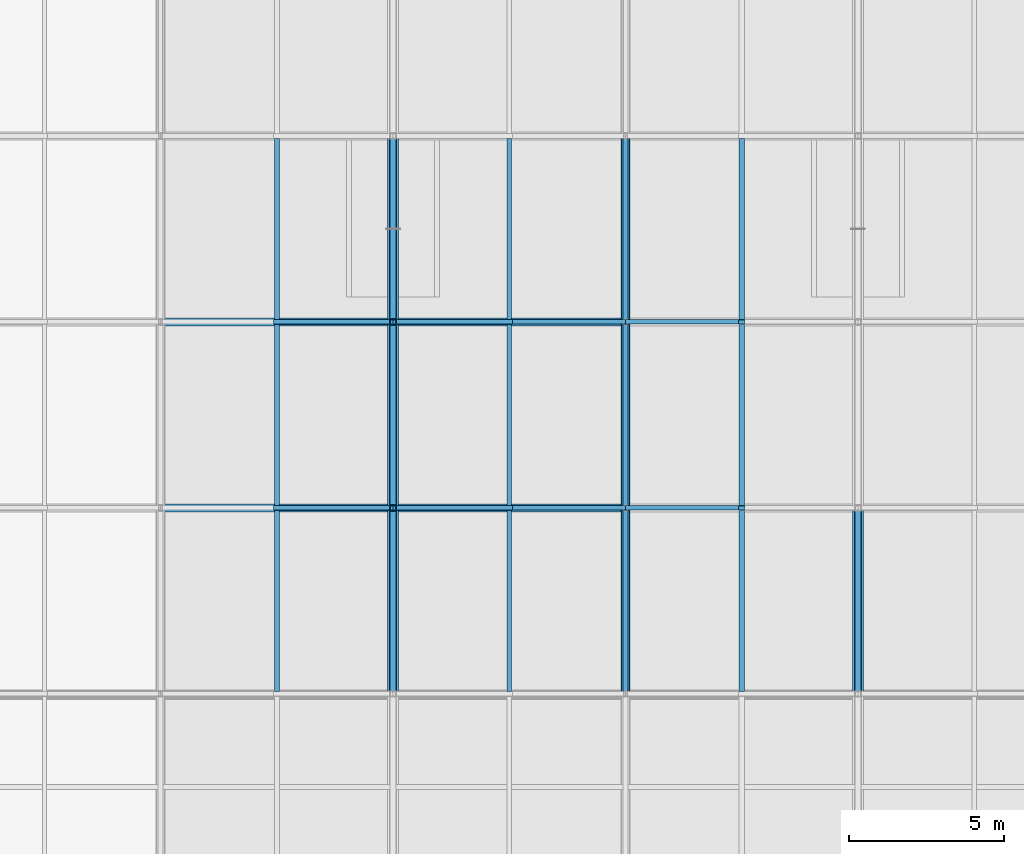
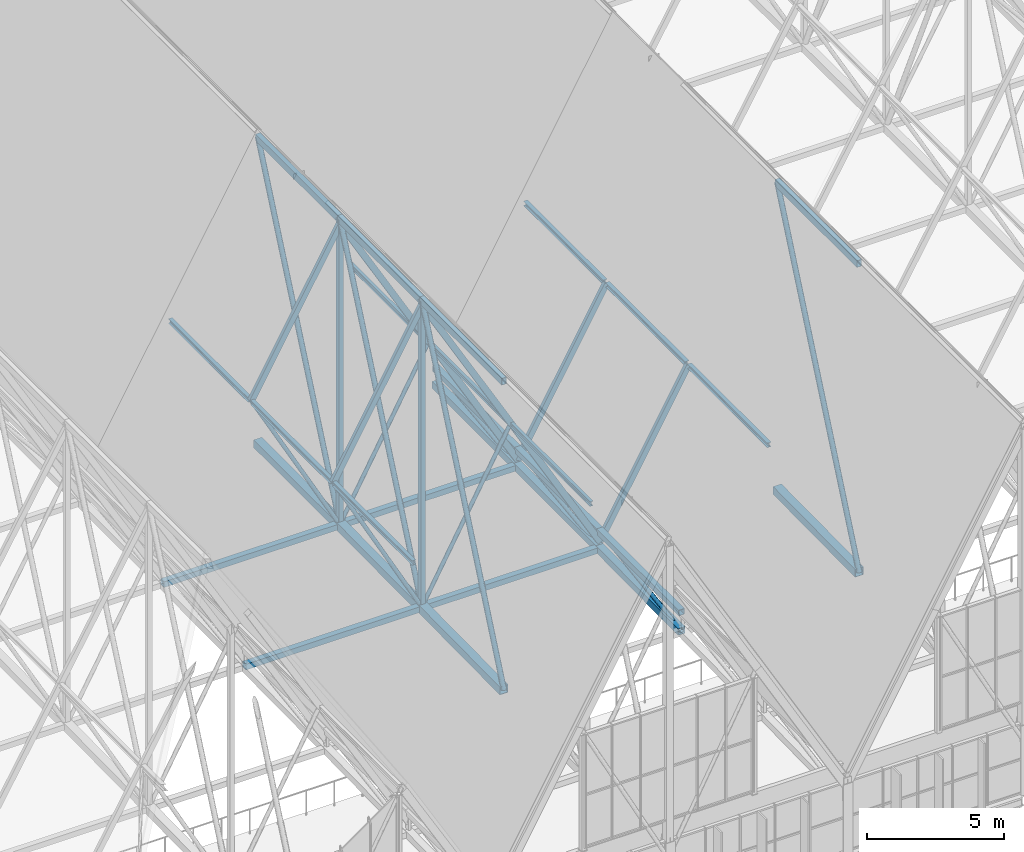
# One storey, part 133 of 324: 37 members, 9 beams.
"""IFC4 building model written with IfcOpenShell, lengths in metres."""

import ifcopenshell
import ifcopenshell.guid

model = None  # the IFC model being written
_history = None  # IfcOwnerHistory: only IFC2X3 demands one
_inside = {}  # id of a spatial element -> (the spatial element, [elements in it])
_under = {}  # id of a project, library or spatial element -> (it, [spatial elements below it])
_declared = {}  # id of a project -> (the project, [libraries it declares])
_typed = {}  # id of a type object -> (the type object, [elements of that type])
_made_of = {}  # id of a material, layer set ... -> (it, [elements and type objects made of it])


def new_model(schema):
    """Start an empty IFC model of exactly this schema.

    Asked for "IFC4X3", IfcOpenShell would pick the latest addendum, in which some entities
    have other attributes; the version numbers below select the first issue.
    IFC2X3 requires an IfcOwnerHistory on every rooted entity: one is made here for all.
    """
    global model, _history
    if schema == "IFC4X3":
        model = ifcopenshell.file(schema_version=(4, 3, 0, 0))
    else:
        model = ifcopenshell.file(schema=schema)
    _inside.clear()
    _under.clear()
    _declared.clear()
    _typed.clear()
    _made_of.clear()
    _history = None
    if model.schema == "IFC2X3":
        org = make("IfcOrganization", Name="unknown")
        user = make(
            "IfcPersonAndOrganization",
            ThePerson=make("IfcPerson", FamilyName="unknown"),
            TheOrganization=org,
        )
        app = make(
            "IfcApplication",
            ApplicationDeveloper=org,
            Version="unknown",
            ApplicationFullName="unknown",
            ApplicationIdentifier="unknown",
        )
        _history = make(
            "IfcOwnerHistory",
            OwningUser=user,
            OwningApplication=app,
            ChangeAction="ADDED",
            CreationDate=0,
        )
    return model


def make(cls, **values):
    """One entity of the class cls with the attributes given. An attribute that is None is left unset."""
    return model.create_entity(
        cls, **{name: value for name, value in values.items() if value is not None}
    )


def rooted(cls, **values):
    """An entity with a GlobalId (a new one), such as an element, a storey or a relation."""
    return make(cls, GlobalId=ifcopenshell.guid.new(), OwnerHistory=_history, **values)


def si_unit(unit_type, name, prefix=None):
    """IfcSIUnit, for example si_unit("LENGTHUNIT", "METRE", prefix="MILLI")."""
    return make("IfcSIUnit", UnitType=unit_type, Prefix=prefix, Name=name)


def assignment(units):
    """IfcUnitAssignment: the units of a project."""
    return None if units is None else make("IfcUnitAssignment", Units=units)


def point(xyz):
    """IfcCartesianPoint."""
    return None if xyz is None else make("IfcCartesianPoint", Coordinates=xyz)


def direction(xyz):
    """IfcDirection."""
    return None if xyz is None else make("IfcDirection", DirectionRatios=xyz)


def frame(location, z_axis=None, x_axis=None):
    """IfcAxis2Placement3D, a coordinate frame: its origin and axes. An axis left out is left unset."""
    return make(
        "IfcAxis2Placement3D",
        Location=point(location),
        Axis=direction(z_axis),
        RefDirection=direction(x_axis),
    )


def frame_2d(location, x_axis=None):
    """IfcAxis2Placement2D, a coordinate frame in the plane: its origin and x axis."""
    return make(
        "IfcAxis2Placement2D", Location=point(location), RefDirection=direction(x_axis)
    )


def origin():
    """The frame at (0, 0, 0) with its axes left unset."""
    return frame((0.0, 0.0, 0.0))


def origin_2d():
    """The frame at (0, 0) in the plane with its x axis left unset."""
    return frame_2d((0.0, 0.0))


def place(relative_to, where):
    """IfcLocalPlacement: puts the frame where relative to a parent placement (None: the world)."""
    return make(
        "IfcLocalPlacement", PlacementRelTo=relative_to, RelativePlacement=where
    )


def context(
    kind, dimensions, precision=None, world=None, true_north=None, identifier=None
):
    """IfcGeometricRepresentationContext, for example the 3D "Model" context."""
    return make(
        "IfcGeometricRepresentationContext",
        ContextIdentifier=identifier,
        ContextType=kind,
        CoordinateSpaceDimension=dimensions,
        Precision=precision,
        WorldCoordinateSystem=world,
        TrueNorth=true_north,
    )


def subcontext(parent, identifier, kind, view, scale=None):
    """IfcGeometricRepresentationSubContext, for example "Body" below "Model"."""
    return make(
        "IfcGeometricRepresentationSubContext",
        ContextIdentifier=identifier,
        ContextType=kind,
        ParentContext=parent,
        TargetScale=scale,
        TargetView=view,
    )


def project(units=None, contexts=None):
    """IfcProject with its units and contexts."""
    return rooted(
        "IfcProject",
        Name="project",
        RepresentationContexts=contexts,
        UnitsInContext=assignment(units),
    )


def spatial(cls, under=None, at=None, **own):
    """A site, building, storey or space (cls), placed at a placement, below another one or the project."""
    s = rooted(cls, ObjectPlacement=at, **own)
    if under is not None:
        _under.setdefault(under.id(), (under, []))[1].append(s)
    return s


def profile(cls, at=None, kind="AREA", **sizes):
    """A parametric profile (cls). Its sizes go by their IFC names, for example OverallWidth=200.0."""
    return make(cls, ProfileType=kind, Position=at, **sizes)


def hollow_rectangle(**sizes):
    """IfcRectangleHollowProfileDef."""
    return profile("IfcRectangleHollowProfileDef", **sizes)


def hollow_circle(**sizes):
    """IfcCircleHollowProfileDef."""
    return profile("IfcCircleHollowProfileDef", **sizes)


def i_section(**sizes):
    """IfcIShapeProfileDef."""
    return profile("IfcIShapeProfileDef", **sizes)


def extrude(swept, where, along, depth):
    """IfcExtrudedAreaSolid: the profile swept, set in the frame where, extruded along a direction by depth."""
    return make(
        "IfcExtrudedAreaSolid",
        SweptArea=swept,
        Position=where,
        ExtrudedDirection=direction(along),
        Depth=depth,
    )


def shape(context_of_items, identifier, shape_type, items):
    """IfcShapeRepresentation: the items that make up one representation, for example the "Body"."""
    return make(
        "IfcShapeRepresentation",
        ContextOfItems=context_of_items,
        RepresentationIdentifier=identifier,
        RepresentationType=shape_type,
        Items=items,
    )


def material(Name=None, Category=None):
    """IfcMaterial."""
    return make("IfcMaterial", Name=Name, Category=Category)


def material_profile(
    of_material, cross_section, Name=None, Category=None, Priority=None
):
    """IfcMaterialProfile: a cross section and its material."""
    return make(
        "IfcMaterialProfile",
        Name=Name,
        Material=of_material,
        Profile=cross_section,
        Priority=Priority,
        Category=Category,
    )


def profile_set(profiles, Name=None, composite=None):
    """IfcMaterialProfileSet."""
    return make(
        "IfcMaterialProfileSet",
        Name=Name,
        MaterialProfiles=profiles,
        CompositeProfile=composite,
    )


def made_of(thing, what):
    """Note that an element or type object is made of a material, layer set ...; save() writes the relation."""
    if what is not None:
        _made_of.setdefault(what.id(), (what, []))[1].append(thing)
    return thing


def type_object(cls, material=None, **own):
    """A type object (cls), such as IfcWallType, which elements share."""
    return made_of(rooted(cls, **own), material)


def element(
    cls,
    number,
    at=None,
    inside=None,
    cuts=None,
    type_object=None,
    material=None,
    context=None,
    identifier="Body",
    shape_type=None,
    held_by="IfcProductDefinitionShape",
    body=None,
    shapes=None,
    **own,
):
    """One element of the class cls, such as IfcWall. Its Tag is "e" and its number.

    at: its placement. inside: the storey or other place that contains it. cuts: it is an
    opening in that element (IfcRelVoidsElement). A single representation is given by context,
    identifier, shape_type and body (its items); several are given by shapes. held_by: the class
    of the entity that holds the representations. save() writes the other relations.
    """
    e = rooted(cls, Tag="e%d" % number, ObjectPlacement=at, **own)
    if body is not None:
        shapes = [shape(context, identifier, shape_type, body)]
    if shapes is not None:
        e.Representation = make(held_by, Representations=shapes)
    if inside is not None:
        _inside.setdefault(inside.id(), (inside, []))[1].append(e)
    if cuts is not None:
        rooted(
            "IfcRelVoidsElement", RelatingBuildingElement=cuts, RelatedOpeningElement=e
        )
    if type_object is not None:
        _typed.setdefault(type_object.id(), (type_object, []))[1].append(e)
    return made_of(e, material)


def aggregate(whole, parts):
    """IfcRelAggregates: a whole, such as a stair, and the parts it consists of."""
    return rooted("IfcRelAggregates", RelatingObject=whole, RelatedObjects=parts)


def save(model, path):
    """Write the relations noted so far, then the file.

    IfcRelAggregates (storeys below a building ...), IfcRelContainedInSpatialStructure (elements
    in a storey), IfcRelDefinesByType, IfcRelAssociatesMaterial and IfcRelDeclares: one each for
    every whole, place, type object, material and project.
    """
    for whole, parts in _under.values():
        aggregate(whole, parts)
    for where, things in _inside.values():
        rooted(
            "IfcRelContainedInSpatialStructure",
            RelatedElements=things,
            RelatingStructure=where,
        )
    for kind, things in _typed.values():
        rooted("IfcRelDefinesByType", RelatedObjects=things, RelatingType=kind)
    for what, things in _made_of.values():
        rooted("IfcRelAssociatesMaterial", RelatedObjects=things, RelatingMaterial=what)
    for by, libraries in _declared.values():
        rooted("IfcRelDeclares", RelatingContext=by, RelatedDefinitions=libraries)
    model.write(path)


model = new_model("IFC4")

# Units and contexts
model_context = context("Model", 3, precision=1e-05, world=origin(), true_north=direction((0.0, 1.0)))
body_context = subcontext(model_context, "Body", "Model", "MODEL_VIEW")
ifc_project = project(units=[si_unit("LENGTHUNIT", "METRE"), si_unit("AREAUNIT", "SQUARE_METRE"), si_unit("VOLUMEUNIT", "CUBIC_METRE"), si_unit("PLANEANGLEUNIT", "RADIAN"), si_unit("MASSUNIT", "GRAM", prefix="KILO")], contexts=[model_context])

# Site, building, storey
site_placement = place(None, origin())
site = spatial("IfcSite", under=ifc_project, at=site_placement, CompositionType="ELEMENT")
building_placement = place(site_placement, origin())
building = spatial("IfcBuilding", under=site, at=building_placement, Name="Solvenia Promenade Tram Depot", CompositionType="ELEMENT")
storey_placement = place(building_placement, frame((0.0, 0.0, 4.5)))
storey = spatial("IfcBuildingStorey", under=building, at=storey_placement, Name="L01", CompositionType="ELEMENT", Elevation=4.5)

# Members
ifc_material_1 = material(Name="Structural steel ASTM A500 Gr. C", Category="steel")
ifc_material_profile_1 = material_profile(ifc_material_1, hollow_circle(Radius=0.109619140625, WallThickness=0.008056640625, at=origin_2d()), Name="CHS219.1x8", Category="steel")
ifc_profile_set_1 = profile_set([ifc_material_profile_1], Name="Structural steel ASTM A500 Gr. C")
member_type_1 = type_object("IfcMemberType", Name="Brace-CHS219x8", PredefinedType="BRACE", material=ifc_profile_set_1)
member_1_placement = place(storey_placement, frame((67.5, 78.0, 2.5439453125), z_axis=(0.0, 0.399307079177, 0.916817242704), x_axis=(-1.0, 0.0, 0.0)))
element("IfcMember", 1, at=member_1_placement, inside=storey, type_object=member_type_1, Name="Arched Truss T10 Web Diagonal S03", PredefinedType="BRACE", context=body_context, shape_type="SweptSolid", body=[
    extrude(hollow_circle(Radius=0.109619140625, WallThickness=0.008056640625, at=origin_2d()), origin(), (0.0, 0.0, 1.0), 15.026123046875),
])
member_2_placement = place(storey_placement, frame((67.5, 84.0, 2.614013671875), z_axis=(0.0, 0.401020841263, 0.916068930197), x_axis=(-1.0, 0.0, 0.0)))
element("IfcMember", 2, at=member_2_placement, inside=storey, type_object=member_type_1, Name="Arched Truss T10 Web Diagonal S04", PredefinedType="BRACE", context=body_context, shape_type="SweptSolid", body=[
    extrude(hollow_circle(Radius=0.109619140625, WallThickness=0.008056640625, at=origin_2d()), origin(), (0.0, 0.0, 1.0), 14.9619140625),
])
member_3_placement = place(storey_placement, frame((67.5, 90.0, 2.656005859375), z_axis=(0.0, 0.402054291977, 0.915615828993), x_axis=(-1.0, 0.0, 0.0)))
element("IfcMember", 3, at=member_3_placement, inside=storey, type_object=member_type_1, Name="Arched Truss T10 Web Diagonal S05", PredefinedType="BRACE", context=body_context, shape_type="SweptSolid", body=[
    extrude(hollow_circle(Radius=0.109619140625, WallThickness=0.008056640625, at=origin_2d()), origin(), (0.0, 0.0, 1.0), 14.92333984375),
])
member_4_placement = place(storey_placement, frame((82.5, 78.0, 2.5439453125), z_axis=(0.0, 0.399307079177, 0.916817242704), x_axis=(-1.0, 0.0, 0.0)))
element("IfcMember", 4, at=member_4_placement, inside=storey, type_object=member_type_1, Name="Arched Truss T12 Web Diagonal S03", PredefinedType="BRACE", context=body_context, shape_type="SweptSolid", body=[
    extrude(hollow_circle(Radius=0.109619140625, WallThickness=0.008056640625, at=origin_2d()), origin(), (0.0, 0.0, 1.0), 15.026123046875),
])
ifc_material_profile_2 = material_profile(ifc_material_1, hollow_rectangle(XDim=0.14990234375, YDim=0.25, WallThickness=0.010009765625, at=origin_2d()), Name="HSS250x150x10", Category="steel")
ifc_profile_set_2 = profile_set([ifc_material_profile_2], Name="Structural steel ASTM A500 Gr. C")
member_type_2 = type_object("IfcMemberType", Name="Chord-HSS250x150x10", PredefinedType="CHORD", material=ifc_profile_set_2)
for number, where, z_axis, x_axis, name in (
    (5, (63.75, 84.0, 9.501220703125), (0.494861595532, 0.0, 0.868971806946), (0.0, 1.0, 0.0), "Zigzag Gable 05 West Upper Rafter"),
    (6, (67.5, 84.0, 16.086181640625), (0.494861595532, 0.0, -0.868971806946), (0.0, 1.0, 0.0), "Zigzag Gable 05 East Upper Rafter"),
    (7, (71.25, 84.0, 9.501220703125), (0.494861595532, 0.0, -0.868971806946), (0.0, 1.0, 0.0), "Zigzag Gable 05 East Lower Rafter"),
    (8, (63.75, 90.0, 9.501220703125), (0.494861595532, 0.0, 0.868971806946), (0.0, 1.0, 0.0), "Zigzag Gable 05 West Upper Rafter"),
    (9, (67.5, 90.0, 16.086181640625), (0.494861595532, 0.0, -0.868971806946), (0.0, 1.0, 0.0), "Zigzag Gable 05 East Upper Rafter"),
    (10, (71.25, 90.0, 9.501220703125), (0.494861595532, 0.0, -0.868971806946), (0.0, 1.0, 0.0), "Zigzag Gable 05 East Lower Rafter"),
    (11, (75.0, 84.0, 2.916259765625), (0.494861595532, 0.0, 0.868971806946), (0.0, 1.0, 0.0), "Zigzag Gable 06 West Lower Rafter"),
    (12, (75.0, 90.0, 2.916259765625), (0.494861595532, 0.0, 0.868971806946), (0.0, 1.0, 0.0), "Zigzag Gable 06 West Lower Rafter"),
):
    element("IfcMember", number, at=place(storey_placement, frame(where, z_axis=z_axis, x_axis=x_axis)), inside=storey, type_object=member_type_2, Name=name, PredefinedType="CHORD", context=body_context, shape_type="SweptSolid", body=[
        extrude(hollow_rectangle(XDim=0.14990234375, YDim=0.25, WallThickness=0.010009765625, at=origin_2d()), origin(), (0.0, 0.0, 1.0), 7.577880859375),
    ])
ifc_material_profile_3 = material_profile(ifc_material_1, hollow_rectangle(XDim=0.25, YDim=0.25, WallThickness=0.010009765625, at=origin_2d()), Name="HSS250x250x10", Category="steel")
ifc_profile_set_3 = profile_set([ifc_material_profile_3], Name="Structural steel ASTM A500 Gr. C")
member_type_3 = type_object("IfcMemberType", Name="Chord-HSS250x250x10", PredefinedType="CHORD", material=ifc_profile_set_3)
for number, where, z_axis, x_axis, name in (
    (13, (75.0, 78.0, 3.3798828125), (0.0, 1.0, 0.0), (-1.0, 0.0, 0.0), "Arched Truss T11 Upper Chord S03"),
    (14, (75.0, 84.0, 3.3798828125), (0.0, 1.0, 0.0), (-1.0, 0.0, 0.0), "Arched Truss T11 Upper Chord S04"),
    (15, (75.0, 90.0, 3.3798828125), (0.0, 1.0, 0.0), (-1.0, 0.0, 0.0), "Arched Truss T11 Upper Chord S05"),
):
    element("IfcMember", number, at=place(storey_placement, frame(where, z_axis=z_axis, x_axis=x_axis)), inside=storey, type_object=member_type_3, Name=name, PredefinedType="CHORD", context=body_context, shape_type="SweptSolid", body=[
        extrude(hollow_rectangle(XDim=0.25, YDim=0.25, WallThickness=0.010009765625, at=origin_2d()), origin(), (0.0, 0.0, 1.0), 6.0),
    ])
for number, where, z_axis, x_axis, name in (
    (16, (60.0, 84.0, 2.614013671875), (1.0, 0.0, 0.0), (0.0, 1.0, 0.0), "Bottom-Chord Catenary Lateral Tie 039"),
    (17, (60.0, 90.0, 2.656005859375), (1.0, 0.0, 0.0), (0.0, 1.0, 0.0), "Bottom-Chord Catenary Lateral Tie 040"),
):
    element("IfcMember", number, at=place(storey_placement, frame(where, z_axis=z_axis, x_axis=x_axis)), inside=storey, type_object=member_type_3, Name=name, PredefinedType="CHORD", context=body_context, shape_type="SweptSolid", body=[
        extrude(hollow_rectangle(XDim=0.25, YDim=0.25, WallThickness=0.010009765625, at=origin_2d()), origin(), (0.0, 0.0, 1.0), 15.0),
    ])
ifc_material_profile_4 = material_profile(ifc_material_1, hollow_rectangle(XDim=0.199951171875, YDim=0.300048828125, WallThickness=0.012451171875, at=origin_2d()), Name="HSS300x200x12.5", Category="steel")
ifc_profile_set_4 = profile_set([ifc_material_profile_4], Name="Structural steel ASTM A500 Gr. C")
member_type_4 = type_object("IfcMemberType", Name="Chord-HSS300x200x12", PredefinedType="CHORD", material=ifc_profile_set_4)
for number, where, z_axis, x_axis, name in (
    (18, (67.5, 78.0, 16.320068359375), (0.0, 1.0, 0.0), (-1.0, 0.0, 0.0), "Arched Truss T10 Upper Chord S03"),
    (19, (67.5, 84.0, 16.320068359375), (0.0, 1.0, 0.0), (-1.0, 0.0, 0.0), "Arched Truss T10 Upper Chord S04"),
    (20, (67.5, 90.0, 16.320068359375), (0.0, 1.0, 0.0), (-1.0, 0.0, 0.0), "Arched Truss T10 Upper Chord S05"),
    (21, (82.5, 78.0, 16.320068359375), (0.0, 1.0, 0.0), (-1.0, 0.0, 0.0), "Arched Truss T12 Upper Chord S03"),
):
    element("IfcMember", number, at=place(storey_placement, frame(where, z_axis=z_axis, x_axis=x_axis)), inside=storey, type_object=member_type_4, Name=name, PredefinedType="CHORD", context=body_context, shape_type="SweptSolid", body=[
        extrude(hollow_rectangle(XDim=0.199951171875, YDim=0.300048828125, WallThickness=0.012451171875, at=origin_2d()), origin(), (0.0, 0.0, 1.0), 6.0),
    ])
ifc_material_profile_5 = material_profile(ifc_material_1, hollow_rectangle(XDim=0.300048828125, YDim=0.300048828125, WallThickness=0.012451171875, at=origin_2d()), Name="HSS300x300x12.5", Category="steel")
ifc_profile_set_5 = profile_set([ifc_material_profile_5], Name="Structural steel ASTM A500 Gr. C")
member_type_5 = type_object("IfcMemberType", Name="Chord-HSS300x300x12", PredefinedType="CHORD", material=ifc_profile_set_5)
member_5_placement = place(storey_placement, frame((75.0, 78.0, 2.5439453125), z_axis=(0.0, 0.999931818432, 0.011677263667), x_axis=(-1.0, 0.0, 0.0)))
element("IfcMember", 22, at=member_5_placement, inside=storey, type_object=member_type_5, Name="Arched Truss T11 Bottom Chord S03", PredefinedType="CHORD", context=body_context, shape_type="SweptSolid", body=[
    extrude(hollow_rectangle(XDim=0.300048828125, YDim=0.300048828125, WallThickness=0.012451171875, at=origin_2d()), origin(), (0.0, 0.0, 1.0), 6.00048828125),
])
member_6_placement = place(storey_placement, frame((75.0, 84.0, 2.614013671875), z_axis=(0.0, 0.999975510013, 0.006998526519), x_axis=(-1.0, 0.0, 0.0)))
element("IfcMember", 23, at=member_6_placement, inside=storey, type_object=member_type_5, Name="Arched Truss T11 Bottom Chord S04", PredefinedType="CHORD", context=body_context, shape_type="SweptSolid", body=[
    extrude(hollow_rectangle(XDim=0.300048828125, YDim=0.300048828125, WallThickness=0.012451171875, at=origin_2d()), origin(), (0.0, 0.0, 1.0), 6.000244140625),
])
member_7_placement = place(storey_placement, frame((75.0, 90.0, 2.656005859375), z_axis=(0.0, 0.999997310351, 0.002319329699), x_axis=(-1.0, 0.0, 0.0)))
element("IfcMember", 24, at=member_7_placement, inside=storey, type_object=member_type_5, Name="Arched Truss T11 Bottom Chord S05", PredefinedType="CHORD", context=body_context, shape_type="SweptSolid", body=[
    extrude(hollow_rectangle(XDim=0.300048828125, YDim=0.300048828125, WallThickness=0.012451171875, at=origin_2d()), origin(), (0.0, 0.0, 1.0), 6.0),
])
ifc_material_profile_6 = material_profile(ifc_material_1, hollow_rectangle(XDim=0.35009765625, YDim=0.35009765625, WallThickness=0.01611328125, at=origin_2d()), Name="HSS350x350x16", Category="steel")
ifc_profile_set_6 = profile_set([ifc_material_profile_6], Name="Structural steel ASTM A500 Gr. C")
member_type_6 = type_object("IfcMemberType", Name="Chord-HSS350x350x16", PredefinedType="CHORD", material=ifc_profile_set_6)
member_8_placement = place(storey_placement, frame((67.5, 78.0, 2.5439453125), z_axis=(0.0, 0.999931818432, 0.011677263667), x_axis=(-1.0, 0.0, 0.0)))
element("IfcMember", 25, at=member_8_placement, inside=storey, type_object=member_type_6, Name="Arched Truss T10 Bottom Chord S03", PredefinedType="CHORD", context=body_context, shape_type="SweptSolid", body=[
    extrude(hollow_rectangle(XDim=0.35009765625, YDim=0.35009765625, WallThickness=0.01611328125, at=origin_2d()), origin(), (0.0, 0.0, 1.0), 6.00048828125),
])
member_9_placement = place(storey_placement, frame((67.5, 84.0, 2.614013671875), z_axis=(0.0, 0.999975510013, 0.006998526519), x_axis=(-1.0, 0.0, 0.0)))
element("IfcMember", 26, at=member_9_placement, inside=storey, type_object=member_type_6, Name="Arched Truss T10 Bottom Chord S04", PredefinedType="CHORD", context=body_context, shape_type="SweptSolid", body=[
    extrude(hollow_rectangle(XDim=0.35009765625, YDim=0.35009765625, WallThickness=0.01611328125, at=origin_2d()), origin(), (0.0, 0.0, 1.0), 6.000244140625),
])
member_10_placement = place(storey_placement, frame((67.5, 90.0, 2.656005859375), z_axis=(0.0, 0.999997310351, 0.002319329699), x_axis=(-1.0, 0.0, 0.0)))
element("IfcMember", 27, at=member_10_placement, inside=storey, type_object=member_type_6, Name="Arched Truss T10 Bottom Chord S05", PredefinedType="CHORD", context=body_context, shape_type="SweptSolid", body=[
    extrude(hollow_rectangle(XDim=0.35009765625, YDim=0.35009765625, WallThickness=0.01611328125, at=origin_2d()), origin(), (0.0, 0.0, 1.0), 6.0),
])
member_11_placement = place(storey_placement, frame((82.5, 78.0, 2.5439453125), z_axis=(0.0, 0.999931818432, 0.011677263667), x_axis=(-1.0, 0.0, 0.0)))
element("IfcMember", 28, at=member_11_placement, inside=storey, type_object=member_type_6, Name="Arched Truss T12 Bottom Chord S03", PredefinedType="CHORD", context=body_context, shape_type="SweptSolid", body=[
    extrude(hollow_rectangle(XDim=0.35009765625, YDim=0.35009765625, WallThickness=0.01611328125, at=origin_2d()), origin(), (0.0, 0.0, 1.0), 6.00048828125),
])
ifc_material_profile_7 = material_profile(ifc_material_1, hollow_rectangle(XDim=0.199951171875, YDim=0.199951171875, WallThickness=0.010009765625, at=origin_2d()), Name="HSS200x200x10", Category="steel")
ifc_profile_set_7 = profile_set([ifc_material_profile_7], Name="Structural steel ASTM A500 Gr. C")
member_type_7 = type_object("IfcMemberType", Name="Post-HSS200x200x10", PredefinedType="POST", material=ifc_profile_set_7)
member_12_placement = place(storey_placement, frame((67.5, 84.0, 2.614013671875), z_axis=(0.0, 0.0, 1.0), x_axis=(1.0, 0.0, 0.0)))
element("IfcMember", 29, at=member_12_placement, inside=storey, type_object=member_type_7, Name="Arched Truss T10 Web Post S03", PredefinedType="POST", context=body_context, shape_type="SweptSolid", body=[
    extrude(hollow_rectangle(XDim=0.199951171875, YDim=0.199951171875, WallThickness=0.010009765625, at=origin_2d()), origin(), (0.0, 0.0, 1.0), 13.7060546875),
])
member_13_placement = place(storey_placement, frame((67.5, 90.0, 2.656005859375), z_axis=(0.0, 0.0, 1.0), x_axis=(1.0, 0.0, 0.0)))
element("IfcMember", 30, at=member_13_placement, inside=storey, type_object=member_type_7, Name="Arched Truss T10 Web Post S04", PredefinedType="POST", context=body_context, shape_type="SweptSolid", body=[
    extrude(hollow_rectangle(XDim=0.199951171875, YDim=0.199951171875, WallThickness=0.010009765625, at=origin_2d()), origin(), (0.0, 0.0, 1.0), 13.6640625),
])

# Beams
ifc_material_2 = material(Name="Structural steel ASTM A992 Gr. 50", Category="steel")
ifc_material_profile_8 = material_profile(ifc_material_2, i_section(OverallWidth=0.133056640625, OverallDepth=0.20703125, WebThickness=0.005859375, FlangeThickness=0.00830078125, FilletRadius=0.009033203125, at=origin_2d()), Name="W200x27", Category="steel")
ifc_profile_set_8 = profile_set([ifc_material_profile_8], Name="Structural steel ASTM A992 Gr. 50")
beam_type_1 = type_object("IfcBeamType", Name="Purlin-W200x27", PredefinedType="USERDEFINED", material=ifc_profile_set_8)
for number, where, z_axis, x_axis, name in (
    (31, (71.25, 78.0849609375, 9.484130859375), (0.0, 1.0, 0.0), (-1.0, 0.0, 0.0), "Gable Roof Purlin E-0086"),
    (32, (71.25, 84.0849609375, 9.484130859375), (0.0, 1.0, 0.0), (-1.0, 0.0, 0.0), "Gable Roof Purlin E-0088"),
    (33, (71.25, 90.0849609375, 9.484130859375), (0.0, 1.0, 0.0), (-1.0, 0.0, 0.0), "Gable Roof Purlin E-0090"),
):
    element("IfcBeam", number, at=place(storey_placement, frame(where, z_axis=z_axis, x_axis=x_axis)), inside=storey, type_object=beam_type_1, Name=name, ObjectType="PURLIN", PredefinedType="USERDEFINED", context=body_context, shape_type="SweptSolid", body=[
        extrude(i_section(OverallWidth=0.133056640625, OverallDepth=0.20703125, WebThickness=0.005859375, FlangeThickness=0.00830078125, FilletRadius=0.009033203125, at=origin_2d()), origin(), (0.0, 0.0, 1.0), 5.830078125),
    ])
ifc_material_profile_9 = material_profile(ifc_material_2, i_section(OverallWidth=0.1650390625, OverallDepth=0.200927734375, WebThickness=0.006103515625, FlangeThickness=0.01025390625, FilletRadius=0.010009765625, at=origin_2d()), Name="W200x36", Category="steel")
ifc_profile_set_9 = profile_set([ifc_material_profile_9], Name="Structural steel ASTM A992 Gr. 50")
beam_type_2 = type_object("IfcBeamType", Name="Purlin-W200x36", PredefinedType="USERDEFINED", material=ifc_profile_set_9)
for number, where, z_axis, x_axis, name in (
    (34, (63.75, 78.0849609375, 9.484130859375), (0.0, 1.0, 0.0), (-1.0, 0.0, 0.0), "Gable Roof Purlin W-0085"),
    (35, (63.75, 84.0849609375, 9.484130859375), (0.0, 1.0, 0.0), (-1.0, 0.0, 0.0), "Gable Roof Purlin W-0087"),
    (36, (63.75, 90.0849609375, 9.484130859375), (0.0, 1.0, 0.0), (-1.0, 0.0, 0.0), "Gable Roof Purlin W-0089"),
    (37, (78.75, 78.0849609375, 9.484130859375), (0.0, 1.0, 0.0), (-1.0, 0.0, 0.0), "Gable Roof Purlin W-0105"),
    (38, (78.75, 84.0849609375, 9.484130859375), (0.0, 1.0, 0.0), (-1.0, 0.0, 0.0), "Gable Roof Purlin W-0107"),
    (39, (78.75, 90.0849609375, 9.484130859375), (0.0, 1.0, 0.0), (-1.0, 0.0, 0.0), "Gable Roof Purlin W-0109"),
):
    element("IfcBeam", number, at=place(storey_placement, frame(where, z_axis=z_axis, x_axis=x_axis)), inside=storey, type_object=beam_type_2, Name=name, ObjectType="PURLIN", PredefinedType="USERDEFINED", context=body_context, shape_type="SweptSolid", body=[
        extrude(i_section(OverallWidth=0.1650390625, OverallDepth=0.200927734375, WebThickness=0.006103515625, FlangeThickness=0.01025390625, FilletRadius=0.010009765625, at=origin_2d()), origin(), (0.0, 0.0, 1.0), 5.830078125),
    ])

# Members
ifc_material_profile_10 = material_profile(ifc_material_1, hollow_circle(Radius=0.084228515625, WallThickness=0.008056640625, at=origin_2d()), Name="CHS168.3x8", Category="steel")
ifc_profile_set_10 = profile_set([ifc_material_profile_10], Name="Structural steel ASTM A500 Gr. C")
member_type_8 = type_object("IfcMemberType", Name="WebDiag-CHS168x8", PredefinedType="BRACE", material=ifc_profile_set_10)
member_14_placement = place(storey_placement, frame((75.0, 78.0, 2.5439453125), z_axis=(0.0, 0.990433608353, 0.13799009908), x_axis=(-1.0, 0.0, 0.0)))
element("IfcMember", 40, at=member_14_placement, inside=storey, type_object=member_type_8, Name="Arched Truss T11 Web Diagonal S03", PredefinedType="BRACE", context=body_context, shape_type="SweptSolid", body=[
    extrude(hollow_circle(Radius=0.084228515625, WallThickness=0.008056640625, at=origin_2d()), origin(), (0.0, 0.0, 1.0), 6.057861328125),
])
member_15_placement = place(storey_placement, frame((75.0, 84.0, 2.614013671875), z_axis=(0.0, 0.991951613347, 0.126617521609), x_axis=(-1.0, 0.0, 0.0)))
element("IfcMember", 41, at=member_15_placement, inside=storey, type_object=member_type_8, Name="Arched Truss T11 Web Diagonal S04", PredefinedType="BRACE", context=body_context, shape_type="SweptSolid", body=[
    extrude(hollow_circle(Radius=0.084228515625, WallThickness=0.008056640625, at=origin_2d()), origin(), (0.0, 0.0, 1.0), 6.048583984375),
])
member_16_placement = place(storey_placement, frame((75.0, 90.0, 2.656005859375), z_axis=(0.0, 0.992800749036, 0.119777596879), x_axis=(-1.0, 0.0, 0.0)))
element("IfcMember", 42, at=member_16_placement, inside=storey, type_object=member_type_8, Name="Arched Truss T11 Web Diagonal S05", PredefinedType="BRACE", context=body_context, shape_type="SweptSolid", body=[
    extrude(hollow_circle(Radius=0.084228515625, WallThickness=0.008056640625, at=origin_2d()), origin(), (0.0, 0.0, 1.0), 6.04345703125),
])
for number, where, z_axis, x_axis, name in (
    (43, (67.5, 84.0, 2.614013671875), (-0.478197616955, 0.0, 0.878252263953), (0.0, -1.0, 0.0), "Zigzag Gable 05 West Knee Strut"),
    (44, (67.5, 84.0, 2.614013671875), (0.478197616955, 0.0, 0.878252263953), (0.0, 1.0, 0.0), "Zigzag Gable 05 East Knee Strut"),
):
    element("IfcMember", number, at=place(storey_placement, frame(where, z_axis=z_axis, x_axis=x_axis)), inside=storey, type_object=member_type_8, Name=name, PredefinedType="BRACE", context=body_context, shape_type="SweptSolid", body=[
        extrude(hollow_circle(Radius=0.084228515625, WallThickness=0.008056640625, at=origin_2d()), origin(), (0.0, 0.0, 1.0), 7.842041015625),
    ])
for number, where, z_axis, x_axis, name in (
    (45, (67.5, 90.0, 2.656005859375), (-0.480455559287, 0.0, 0.877019073652), (0.0, -1.0, 0.0), "Zigzag Gable 05 West Knee Strut"),
    (46, (67.5, 90.0, 2.656005859375), (0.480455559287, 0.0, 0.877019073652), (0.0, 1.0, 0.0), "Zigzag Gable 05 East Knee Strut"),
):
    element("IfcMember", number, at=place(storey_placement, frame(where, z_axis=z_axis, x_axis=x_axis)), inside=storey, type_object=member_type_8, Name=name, PredefinedType="BRACE", context=body_context, shape_type="SweptSolid", body=[
        extrude(hollow_circle(Radius=0.084228515625, WallThickness=0.008056640625, at=origin_2d()), origin(), (0.0, 0.0, 1.0), 7.80517578125),
    ])

save(model, "model.ifc")
